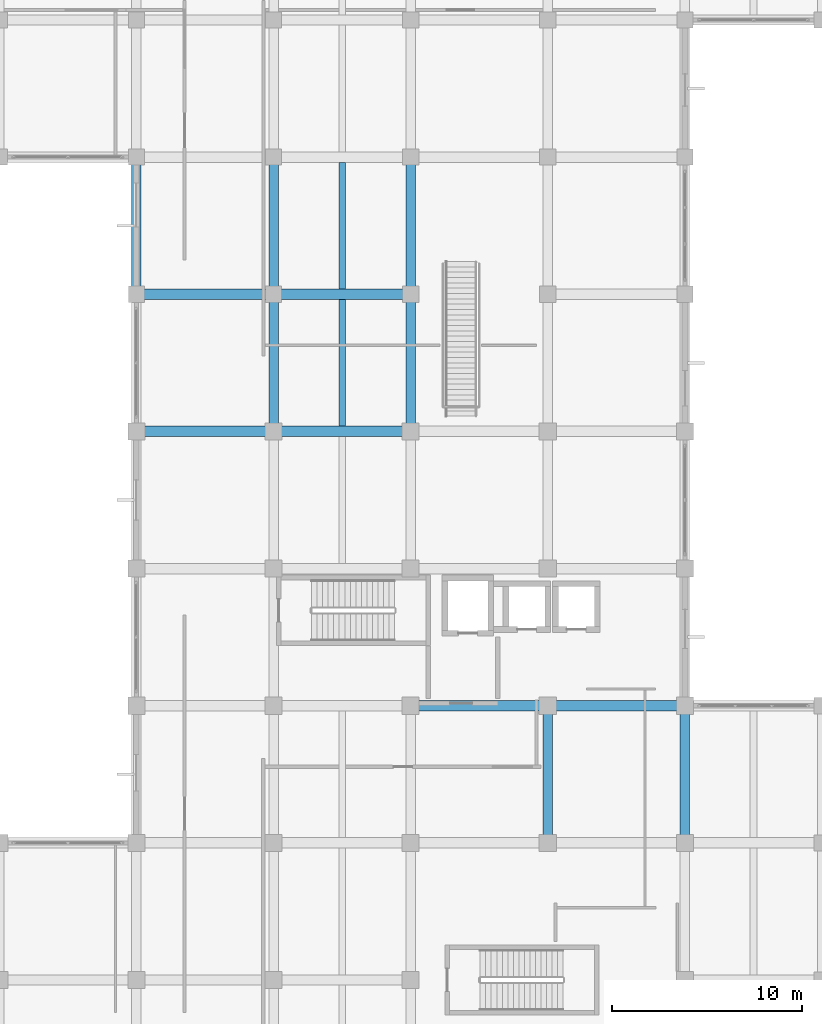
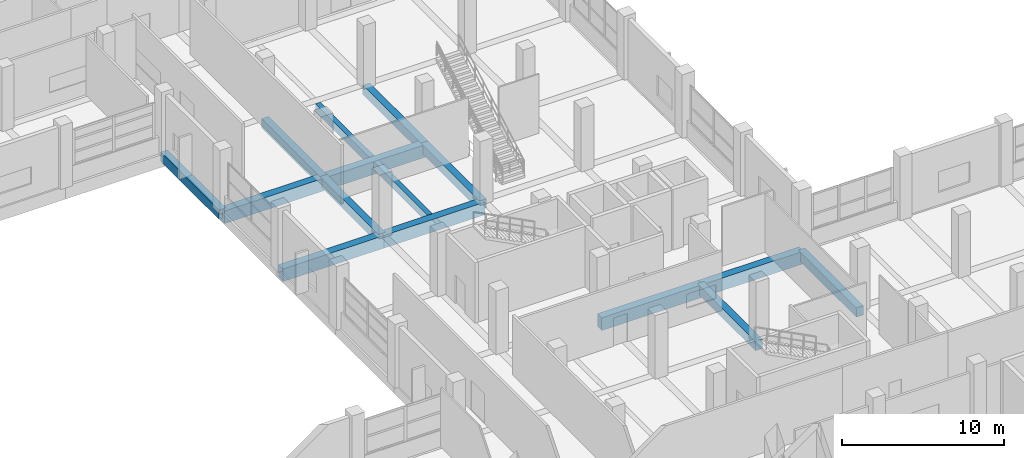
# One storey, part 50 of 181: 15 beams.
"""IFC4 building model written with IfcOpenShell, lengths in metres."""

from ifc_helpers import new_model, si_unit, direction, frame, origin, origin_2d, place, context, subcontext, project, spatial, rectangle, extrude, material, material_profile, profile_set, type_object, element, save


model = new_model("IFC4")

# Units and contexts
model_context = context("Model", 3, precision=1e-05, world=origin(), true_north=direction((0.0, 1.0)))
body_context = subcontext(model_context, "Body", "Model", "MODEL_VIEW")
ifc_project = project(units=[si_unit("LENGTHUNIT", "METRE"), si_unit("AREAUNIT", "SQUARE_METRE"), si_unit("VOLUMEUNIT", "CUBIC_METRE"), si_unit("PLANEANGLEUNIT", "RADIAN"), si_unit("MASSUNIT", "GRAM", prefix="KILO")], contexts=[model_context])

# Site, building, storey
site_placement = place(None, origin())
site = spatial("IfcSite", under=ifc_project, at=site_placement, CompositionType="ELEMENT")
building_placement = place(site_placement, origin())
building = spatial("IfcBuilding", under=site, at=building_placement, Name="Seraya Terrace Polytechnic", CompositionType="ELEMENT")
storey_placement = place(building_placement, frame((0.0, 0.0, 4.800048828125)))
storey = spatial("IfcBuildingStorey", under=building, at=storey_placement, Name="L01", CompositionType="ELEMENT", Elevation=4.800048828125)

# Beams
ifc_material = material(Name="Concrete C40/50", Category="concrete")
ifc_material_profile_1 = material_profile(ifc_material, rectangle(XDim=0.550048828125, YDim=0.949951171875, at=origin_2d()), Name="RC 550x950")
ifc_profile_set_1 = profile_set([ifc_material_profile_1], Name="Concrete C40/50")
beam_type_1 = type_object("IfcBeamType", Name="BM-03", PredefinedType="BEAM", material=ifc_profile_set_1)
for number, where, z_axis, x_axis, name in (
    (1, (93.60009765625, 36.0, -0.47509765625), (1.0, 0.0, 0.0), (0.0, 1.0, 0.0), "Beam BM-03 L01 X (93.6..100.8, 36.0)"),
    (2, (100.800048828125, 36.0, -0.47509765625), (1.0, 0.0, 0.0), (0.0, 1.0, 0.0), "Beam BM-03 L01 X (100.8..108.0, 36.0)"),
    (3, (79.199951171875, 50.39990234375, -0.47509765625), (1.0, 0.0, 0.0), (0.0, 1.0, 0.0), "Beam BM-03 L01 X (79.2..86.4, 50.4)"),
):
    element("IfcBeam", number, at=place(storey_placement, frame(where, z_axis=z_axis, x_axis=x_axis)), inside=storey, type_object=beam_type_1, Name=name, PredefinedType="BEAM", context=body_context, shape_type="SweptSolid", body=[
        extrude(rectangle(XDim=0.550048828125, YDim=0.949951171875, at=origin_2d()), origin(), (0.0, 0.0, 1.0), 7.199951171875),
    ])
beam_1_placement = place(storey_placement, frame((86.39990234375, 50.39990234375, -0.47509765625), z_axis=(1.0, 0.0, 0.0), x_axis=(0.0, 1.0, 0.0)))
element("IfcBeam", 4, at=beam_1_placement, inside=storey, type_object=beam_type_1, Name="Beam BM-03 L01 X (86.4..93.6, 50.4)", PredefinedType="BEAM", context=body_context, shape_type="SweptSolid", body=[
    extrude(rectangle(XDim=0.550048828125, YDim=0.949951171875, at=origin_2d()), origin(), (0.0, 0.0, 1.0), 7.2001953125),
])
beam_2_placement = place(storey_placement, frame((79.199951171875, 57.60009765625, -0.47509765625), z_axis=(1.0, 0.0, 0.0), x_axis=(0.0, 1.0, 0.0)))
element("IfcBeam", 5, at=beam_2_placement, inside=storey, type_object=beam_type_1, Name="Beam BM-03 L01 X (79.2..86.4, 57.6)", PredefinedType="BEAM", context=body_context, shape_type="SweptSolid", body=[
    extrude(rectangle(XDim=0.550048828125, YDim=0.949951171875, at=origin_2d()), origin(), (0.0, 0.0, 1.0), 7.199951171875),
])
beam_3_placement = place(storey_placement, frame((86.39990234375, 57.60009765625, -0.47509765625), z_axis=(1.0, 0.0, 0.0), x_axis=(0.0, 1.0, 0.0)))
element("IfcBeam", 6, at=beam_3_placement, inside=storey, type_object=beam_type_1, Name="Beam BM-03 L01 X (86.4..93.6, 57.6)", PredefinedType="BEAM", context=body_context, shape_type="SweptSolid", body=[
    extrude(rectangle(XDim=0.550048828125, YDim=0.949951171875, at=origin_2d()), origin(), (0.0, 0.0, 1.0), 7.2001953125),
])
ifc_material_profile_2 = material_profile(ifc_material, rectangle(XDim=0.5, YDim=0.699951171875, at=origin_2d()), Name="RC 500x700")
ifc_profile_set_2 = profile_set([ifc_material_profile_2], Name="Concrete C40/50")
beam_type_2 = type_object("IfcBeamType", Name="BM-07", PredefinedType="BEAM", material=ifc_profile_set_2)
beam_4_placement = place(storey_placement, frame((79.199951171875, 57.60009765625, -0.35009765625), z_axis=(0.0, 1.0, 0.0), x_axis=(-1.0, 0.0, 0.0)))
element("IfcBeam", 7, at=beam_4_placement, inside=storey, type_object=beam_type_2, Name="Beam BM-07 L01 Y (79.2, 57.6..64.8)", PredefinedType="BEAM", context=body_context, shape_type="SweptSolid", body=[
    extrude(rectangle(XDim=0.5, YDim=0.699951171875, at=origin_2d()), origin(), (0.0, 0.0, 1.0), 7.199951171875),
])
beam_5_placement = place(storey_placement, frame((86.39990234375, 50.39990234375, -0.35009765625), z_axis=(0.0, 1.0, 0.0), x_axis=(-1.0, 0.0, 0.0)))
element("IfcBeam", 8, at=beam_5_placement, inside=storey, type_object=beam_type_2, Name="Beam BM-07 L01 Y (86.4, 50.4..57.6)", PredefinedType="BEAM", context=body_context, shape_type="SweptSolid", body=[
    extrude(rectangle(XDim=0.5, YDim=0.699951171875, at=origin_2d()), origin(), (0.0, 0.0, 1.0), 7.2001953125),
])
beam_6_placement = place(storey_placement, frame((86.39990234375, 57.60009765625, -0.35009765625), z_axis=(0.0, 1.0, 0.0), x_axis=(-1.0, 0.0, 0.0)))
element("IfcBeam", 9, at=beam_6_placement, inside=storey, type_object=beam_type_2, Name="Beam BM-07 L01 Y (86.4, 57.6..64.8)", PredefinedType="BEAM", context=body_context, shape_type="SweptSolid", body=[
    extrude(rectangle(XDim=0.5, YDim=0.699951171875, at=origin_2d()), origin(), (0.0, 0.0, 1.0), 7.199951171875),
])
beam_7_placement = place(storey_placement, frame((93.60009765625, 50.39990234375, -0.35009765625), z_axis=(0.0, 1.0, 0.0), x_axis=(-1.0, 0.0, 0.0)))
element("IfcBeam", 10, at=beam_7_placement, inside=storey, type_object=beam_type_2, Name="Beam BM-07 L01 Y (93.6, 50.4..57.6)", PredefinedType="BEAM", context=body_context, shape_type="SweptSolid", body=[
    extrude(rectangle(XDim=0.5, YDim=0.699951171875, at=origin_2d()), origin(), (0.0, 0.0, 1.0), 7.2001953125),
])
for number, where, z_axis, x_axis, name in (
    (11, (93.60009765625, 57.60009765625, -0.35009765625), (0.0, 1.0, 0.0), (-1.0, 0.0, 0.0), "Beam BM-07 L01 Y (93.6, 57.6..64.8)"),
    (12, (100.800048828125, 28.800048828125, -0.35009765625), (0.0, 1.0, 0.0), (-1.0, 0.0, 0.0), "Beam BM-07 L01 Y (100.8, 28.8..36.0)"),
    (13, (108.0, 28.800048828125, -0.35009765625), (0.0, 1.0, 0.0), (-1.0, 0.0, 0.0), "Beam BM-07 L01 Y (108.0, 28.8..36.0)"),
):
    element("IfcBeam", number, at=place(storey_placement, frame(where, z_axis=z_axis, x_axis=x_axis)), inside=storey, type_object=beam_type_2, Name=name, PredefinedType="BEAM", context=body_context, shape_type="SweptSolid", body=[
        extrude(rectangle(XDim=0.5, YDim=0.699951171875, at=origin_2d()), origin(), (0.0, 0.0, 1.0), 7.199951171875),
    ])
ifc_material_profile_3 = material_profile(ifc_material, rectangle(XDim=0.35009765625, YDim=0.60009765625, at=origin_2d()), Name="RC 350x600")
ifc_profile_set_3 = profile_set([ifc_material_profile_3], Name="Concrete C40/50")
beam_type_3 = type_object("IfcBeamType", Name="JS-02", PredefinedType="JOIST", material=ifc_profile_set_3)
for number, where, z_axis, x_axis, name in (
    (14, (90.0, 50.675048828125, -0.300048828125), (0.0, 1.0, 0.0), (-1.0, 0.0, 0.0), "Secondary joist JS-02 L01"),
    (15, (90.0, 57.875, -0.300048828125), (0.0, 1.0, 0.0), (-1.0, 0.0, 0.0), "Secondary joist JS-02 L01"),
):
    element("IfcBeam", number, at=place(storey_placement, frame(where, z_axis=z_axis, x_axis=x_axis)), inside=storey, type_object=beam_type_3, Name=name, PredefinedType="JOIST", context=body_context, shape_type="SweptSolid", body=[
        extrude(rectangle(XDim=0.35009765625, YDim=0.60009765625, at=origin_2d()), origin(), (0.0, 0.0, 1.0), 6.64990234375),
    ])

save(model, "model.ifc")
